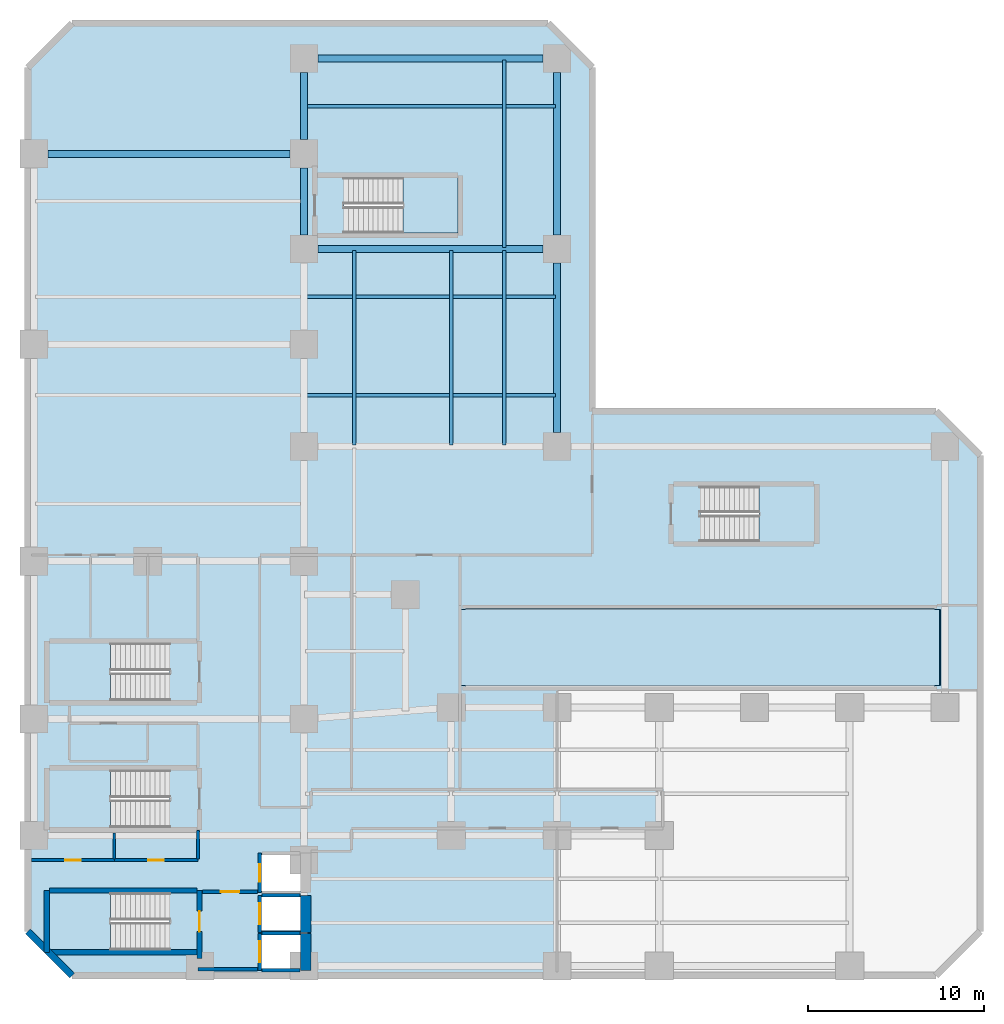
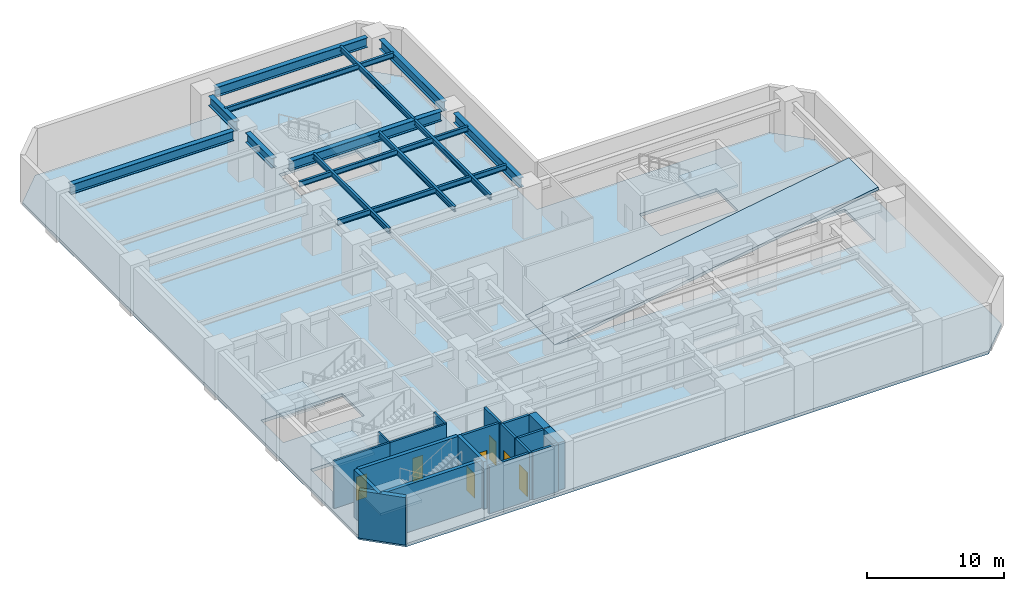
# One storey, part 2 of 7: 19 walls, 14 beams, 7 doors, 7 slabs, 7 openings, 5 elements without a shape of their own.
"""IFC4 building model written with IfcOpenShell, lengths in metres."""

from ifc_helpers import new_model, si_unit, direction, frame, frame_2d, origin, origin_2d, place, context, subcontext, project, spatial, polyline, rectangle, i_section, outline, extrude, material, layer, layer_set, material_profile, profile_set, type_object, element, fill, aggregate, save


model = new_model("IFC4")

# Units and contexts
model_context = context("Model", 3, precision=1e-05, world=origin(), true_north=direction((0.0, 1.0)))
body_context = subcontext(model_context, "Body", "Model", "MODEL_VIEW")
ifc_project = project(units=[si_unit("LENGTHUNIT", "METRE"), si_unit("AREAUNIT", "SQUARE_METRE"), si_unit("VOLUMEUNIT", "CUBIC_METRE"), si_unit("PLANEANGLEUNIT", "RADIAN"), si_unit("MASSUNIT", "GRAM", prefix="KILO")], contexts=[model_context])

# Site, building, storey
site_placement = place(None, origin())
site = spatial("IfcSite", under=ifc_project, at=site_placement, CompositionType="ELEMENT")
building_placement = place(site_placement, origin())
building = spatial("IfcBuilding", under=site, at=building_placement, Name="Mawjaban Terraces University", CompositionType="ELEMENT")
storey_placement = place(building_placement, frame((0.0, 0.0, -4.5)))
storey = spatial("IfcBuildingStorey", under=building, at=storey_placement, Name="B1", CompositionType="ELEMENT", Elevation=-4.5)

# Beams
ifc_material_1 = material(Name="Steel ASTM A572 Grade 50", Category="steel")
ifc_material_profile_1 = material_profile(ifc_material_1, i_section(OverallWidth=0.39990234375, OverallDepth=0.85498046875, WebThickness=0.018310546875, FlangeThickness=0.029296875, at=origin_2d()), Name="W840X299")
ifc_profile_set_1 = profile_set([ifc_material_profile_1], Name="Steel ASTM A572 Grade 50")
beam_type_1 = type_object("IfcBeamType", Name="Beam_B_W840X299", PredefinedType="BEAM", material=ifc_profile_set_1)
beam_1_placement = place(storey_placement, frame((38.449951171875, 41.199951171875, 3.7919921875), z_axis=(1.0, 0.0, 0.0), x_axis=(0.0, 1.0, 0.0)))
element("IfcBeam", 1, at=beam_1_placement, inside=storey, type_object=beam_type_1, Name="B1 Beam BM-B1-EW-18", PredefinedType="BEAM", context=body_context, shape_type="SweptSolid", body=[
    extrude(i_section(OverallWidth=0.39990234375, OverallDepth=0.85498046875, WebThickness=0.018310546875, FlangeThickness=0.029296875, at=origin_2d()), origin(), (0.0, 0.0, 1.0), 12.75),
])
beam_2_placement = place(storey_placement, frame((23.14990234375, 46.60009765625, 3.7919921875), z_axis=(1.0, 0.0, 0.0), x_axis=(0.0, 1.0, 0.0)))
element("IfcBeam", 2, at=beam_2_placement, inside=storey, type_object=beam_type_1, Name="B1 Beam BM-B1-EW-19", PredefinedType="BEAM", context=body_context, shape_type="SweptSolid", body=[
    extrude(i_section(OverallWidth=0.39990234375, OverallDepth=0.85498046875, WebThickness=0.018310546875, FlangeThickness=0.029296875, at=origin_2d()), origin(), (0.0, 0.0, 1.0), 13.7001953125),
])
beam_3_placement = place(storey_placement, frame((38.449951171875, 52.0, 3.7919921875), z_axis=(1.0, 0.0, 0.0), x_axis=(0.0, 1.0, 0.0)))
element("IfcBeam", 3, at=beam_3_placement, inside=storey, type_object=beam_type_1, Name="B1 Beam BM-B1-EW-20", PredefinedType="BEAM", context=body_context, shape_type="SweptSolid", body=[
    extrude(i_section(OverallWidth=0.39990234375, OverallDepth=0.85498046875, WebThickness=0.018310546875, FlangeThickness=0.029296875, at=origin_2d()), origin(), (0.0, 0.0, 1.0), 12.75),
])
for number, where, z_axis, x_axis, name in (
    (4, (37.64990234375, 42.0, 3.7919921875), (0.0, 1.0, 0.0), (-1.0, 0.0, 0.0), "B1 Beam BM-B1-NS-11"),
    (5, (37.64990234375, 47.39990234375, 3.7919921875), (0.0, 1.0, 0.0), (-1.0, 0.0, 0.0), "B1 Beam BM-B1-NS-12"),
):
    element("IfcBeam", number, at=place(storey_placement, frame(where, z_axis=z_axis, x_axis=x_axis)), inside=storey, type_object=beam_type_1, Name=name, PredefinedType="BEAM", context=body_context, shape_type="SweptSolid", body=[
        extrude(i_section(OverallWidth=0.39990234375, OverallDepth=0.85498046875, WebThickness=0.018310546875, FlangeThickness=0.029296875, at=origin_2d()), origin(), (0.0, 0.0, 1.0), 3.800048828125),
    ])
beam_4_placement = place(storey_placement, frame((52.0, 30.800048828125, 3.7919921875), z_axis=(0.0, 1.0, 0.0), x_axis=(-1.0, 0.0, 0.0)))
element("IfcBeam", 6, at=beam_4_placement, inside=storey, type_object=beam_type_1, Name="B1 Beam BM-B1-NS-16", PredefinedType="BEAM", context=body_context, shape_type="SweptSolid", body=[
    extrude(i_section(OverallWidth=0.39990234375, OverallDepth=0.85498046875, WebThickness=0.018310546875, FlangeThickness=0.029296875, at=origin_2d()), origin(), (0.0, 0.0, 1.0), 9.599853515625),
])
beam_5_placement = place(storey_placement, frame((52.0, 42.0, 3.7919921875), z_axis=(0.0, 1.0, 0.0), x_axis=(-1.0, 0.0, 0.0)))
element("IfcBeam", 7, at=beam_5_placement, inside=storey, type_object=beam_type_1, Name="B1 Beam BM-B1-NS-17", PredefinedType="BEAM", context=body_context, shape_type="SweptSolid", body=[
    extrude(i_section(OverallWidth=0.39990234375, OverallDepth=0.85498046875, WebThickness=0.018310546875, FlangeThickness=0.029296875, at=origin_2d()), origin(), (0.0, 0.0, 1.0), 9.199951171875),
])
ifc_material_profile_2 = material_profile(ifc_material_1, i_section(OverallWidth=0.194091796875, OverallDepth=0.468994140625, WebThickness=0.011474609375, FlangeThickness=0.0205078125, at=origin_2d()), Name="W460X106")
ifc_profile_set_2 = profile_set([ifc_material_profile_2], Name="Steel ASTM A572 Grade 50")
beam_type_2 = type_object("IfcBeamType", Name="Beam_J_W460X106", PredefinedType="JOIST", material=ifc_profile_set_2)
for number, where, z_axis, x_axis, name in (
    (8, (37.72998046875, 32.89990234375, 3.986083984375), (1.0, 0.0, 0.0), (0.0, 1.0, 0.0), "B1 Composite Joist JST-B1-18"),
    (9, (37.72998046875, 38.5, 3.986083984375), (1.0, 0.0, 0.0), (0.0, 1.0, 0.0), "B1 Composite Joist JST-B1-20"),
    (10, (37.72998046875, 49.300048828125, 3.986083984375), (1.0, 0.0, 0.0), (0.0, 1.0, 0.0), "B1 Composite Joist JST-B1-22"),
):
    element("IfcBeam", number, at=place(storey_placement, frame(where, z_axis=z_axis, x_axis=x_axis)), inside=storey, type_object=beam_type_2, Name=name, PredefinedType="JOIST", context=body_context, shape_type="SweptSolid", body=[
        extrude(i_section(OverallWidth=0.194091796875, OverallDepth=0.468994140625, WebThickness=0.011474609375, FlangeThickness=0.0205078125, at=origin_2d()), origin(), (0.0, 0.0, 1.0), 14.18994140625),
    ])
for number, where, z_axis, x_axis, name in (
    (11, (40.5, 30.080078125, 3.986083984375), (0.0, 1.0, 0.0), (-1.0, 0.0, 0.0), "B1 Composite Joist JST-B1-NS-25"),
    (12, (46.0, 30.080078125, 3.986083984375), (0.0, 1.0, 0.0), (-1.0, 0.0, 0.0), "B1 Composite Joist JST-B1-NS-26"),
    (13, (49.0, 30.080078125, 3.986083984375), (0.0, 1.0, 0.0), (-1.0, 0.0, 0.0), "B1 Composite Joist JST-B1-NS-27"),
):
    element("IfcBeam", number, at=place(storey_placement, frame(where, z_axis=z_axis, x_axis=x_axis)), inside=storey, type_object=beam_type_2, Name=name, PredefinedType="JOIST", context=body_context, shape_type="SweptSolid", body=[
        extrude(i_section(OverallWidth=0.194091796875, OverallDepth=0.468994140625, WebThickness=0.011474609375, FlangeThickness=0.0205078125, at=origin_2d()), origin(), (0.0, 0.0, 1.0), 11.0400390625),
    ])
beam_6_placement = place(storey_placement, frame((49.0, 41.280029296875, 3.986083984375), z_axis=(0.0, 1.0, 0.0), x_axis=(-1.0, 0.0, 0.0)))
element("IfcBeam", 14, at=beam_6_placement, inside=storey, type_object=beam_type_2, Name="B1 Composite Joist JST-B1-NS-28", PredefinedType="JOIST", context=body_context, shape_type="SweptSolid", body=[
    extrude(i_section(OverallWidth=0.194091796875, OverallDepth=0.468994140625, WebThickness=0.011474609375, FlangeThickness=0.0205078125, at=origin_2d()), origin(), (0.0, 0.0, 1.0), 10.639892578125),
])

# Slab
ifc_material_2 = material(Name="Concrete C40/50", Category="concrete")
ifc_layer_1 = layer(ifc_material_2, 0.280029296875)
ifc_layer_set_1 = layer_set([ifc_layer_1], Name="Concrete C40/50")
slab_type_1 = type_object("IfcSlabType", Name="PodiumSlab_280", PredefinedType="FLOOR", material=ifc_layer_set_1)
slab_1_placement = place(storey_placement, frame((0.0, 0.0, -0.280029296875)))
element("IfcSlab", 15, at=slab_1_placement, inside=storey, type_object=slab_type_1, Name="B1 Primary Structural Slab", PredefinedType="FLOOR", context=body_context, shape_type="SweptSolid", body=[
    extrude(outline(polyline([(24.5, 0.0), (73.5, 0.0), (76.0, 2.5), (76.0, 29.5), (73.5, 32.0), (54.0, 32.0), (54.0, 51.5), (51.5, 54.0), (24.5, 54.0), (22.0, 51.5), (22.0, 2.5), (24.5, 0.0)]), holes=[polyline([(30.014892578125, 4.699951171875), (23.199951171875, 4.699951171875), (23.199951171875, 1.449951171875), (30.014892578125, 1.449951171875), (30.014892578125, 4.699951171875)]), polyline([(30.014892578125, 18.85009765625), (23.199951171875, 18.85009765625), (23.199951171875, 15.60009765625), (30.014892578125, 15.60009765625), (30.014892578125, 18.85009765625)]), polyline([(30.014892578125, 11.64990234375), (23.199951171875, 11.64990234375), (23.199951171875, 8.39990234375), (30.014892578125, 8.39990234375), (30.014892578125, 11.64990234375)]), polyline([(39.93505859375, 42.10009765625), (46.39990234375, 42.10009765625), (46.39990234375, 45.25), (39.93505859375, 45.25), (39.93505859375, 42.10009765625)]), polyline([(60.135009765625, 24.60009765625), (66.60009765625, 24.60009765625), (66.60009765625, 27.75), (60.135009765625, 27.75), (60.135009765625, 24.60009765625)]), polyline([(35.25, 0.39990234375), (37.449951171875, 0.39990234375), (37.449951171875, 2.300048828125), (35.25, 2.300048828125), (35.25, 0.39990234375)]), polyline([(35.25, 2.550048828125), (37.449951171875, 2.550048828125), (37.449951171875, 4.449951171875), (35.25, 4.449951171875), (35.25, 2.550048828125)]), polyline([(35.25, 4.800048828125), (37.449951171875, 4.800048828125), (37.449951171875, 6.85009765625), (35.25, 6.85009765625), (35.25, 4.800048828125)]), polyline([(46.800048828125, 16.39990234375), (73.39990234375, 16.39990234375), (73.39990234375, 20.800048828125), (46.800048828125, 20.800048828125), (46.800048828125, 16.39990234375)])]), origin(), (0.0, 0.0, 1.0), 0.280029296875),
])

# Stair, slab
stair_type_1 = type_object("IfcStairType", Name="Stair_Core1550_H45", PredefinedType="HALF_TURN_STAIR", material=ifc_material_2)
stair_1_placement = place(storey_placement, origin())
stair_1 = element("IfcStair", 16, at=stair_1_placement, inside=storey, type_object=stair_type_1, Name="B1 Core Exit Stair 1", PredefinedType="HALF_TURN_STAIR")
ifc_layer_2 = layer(ifc_material_2, 0.199951171875)
ifc_layer_set_2 = layer_set([ifc_layer_2], Name="Concrete C40/50")
slab_type_2 = type_object("IfcSlabType", Name="StairLandingSlab_200", PredefinedType="LANDING", material=ifc_layer_set_2)
slab_2_placement = place(storey_placement, frame((0.0, 0.0, 2.050048828125)))
slab_2 = element("IfcSlab", 17, at=slab_2_placement, type_object=slab_type_2, Name="ST-1 landing 1", PredefinedType="LANDING", context=body_context, shape_type="SweptSolid", body=[
    extrude(outline(polyline([(26.68994140625, 4.699951171875), (23.199951171875, 4.699951171875), (23.199951171875, 1.449951171875), (26.68994140625, 1.449951171875), (26.68994140625, 4.699951171875)])), origin(), (0.0, 0.0, 1.0), 0.199951171875),
])
aggregate(stair_1, [slab_2])

stair_2_placement = place(storey_placement, origin())
stair_2 = element("IfcStair", 18, at=stair_2_placement, inside=storey, type_object=stair_type_1, Name="B1 Core Exit Stair 2", PredefinedType="HALF_TURN_STAIR")
slab_3_placement = place(storey_placement, frame((0.0, 0.0, 2.050048828125)))
slab_3 = element("IfcSlab", 19, at=slab_3_placement, type_object=slab_type_2, Name="ST-2 landing 1", PredefinedType="LANDING", context=body_context, shape_type="SweptSolid", body=[
    extrude(outline(polyline([(26.68994140625, 18.85009765625), (23.199951171875, 18.85009765625), (23.199951171875, 15.60009765625), (26.68994140625, 15.60009765625), (26.68994140625, 18.85009765625)])), origin(), (0.0, 0.0, 1.0), 0.199951171875),
])
aggregate(stair_2, [slab_3])

stair_3_placement = place(storey_placement, origin())
stair_3 = element("IfcStair", 20, at=stair_3_placement, inside=storey, type_object=stair_type_1, Name="B1 Core Exit Stair 3", PredefinedType="HALF_TURN_STAIR")
slab_4_placement = place(storey_placement, frame((0.0, 0.0, 2.050048828125)))
slab_4 = element("IfcSlab", 21, at=slab_4_placement, type_object=slab_type_2, Name="ST-3 landing 1", PredefinedType="LANDING", context=body_context, shape_type="SweptSolid", body=[
    extrude(outline(polyline([(26.68994140625, 11.64990234375), (23.199951171875, 11.64990234375), (23.199951171875, 8.39990234375), (26.68994140625, 8.39990234375), (26.68994140625, 11.64990234375)])), origin(), (0.0, 0.0, 1.0), 0.199951171875),
])
aggregate(stair_3, [slab_4])

stair_type_2 = type_object("IfcStairType", Name="Stair_Pod1500_H45", PredefinedType="HALF_TURN_STAIR", material=ifc_material_2)
stair_4_placement = place(storey_placement, origin())
stair_4 = element("IfcStair", 22, at=stair_4_placement, inside=storey, type_object=stair_type_2, Name="B1 Podium North Exit Stair 4", PredefinedType="HALF_TURN_STAIR")
slab_5_placement = place(storey_placement, frame((0.0, 0.0, 2.050048828125)))
slab_5 = element("IfcSlab", 23, at=slab_5_placement, type_object=slab_type_2, Name="ST-4 landing 1", PredefinedType="LANDING", context=body_context, shape_type="SweptSolid", body=[
    extrude(outline(polyline([(43.260009765625, 42.10009765625), (46.39990234375, 42.10009765625), (46.39990234375, 45.25), (43.260009765625, 45.25), (43.260009765625, 42.10009765625)])), origin(), (0.0, 0.0, 1.0), 0.199951171875),
])
aggregate(stair_4, [slab_5])

stair_5_placement = place(storey_placement, origin())
stair_5 = element("IfcStair", 24, at=stair_5_placement, inside=storey, type_object=stair_type_2, Name="B1 Podium East Exit Stair 5", PredefinedType="HALF_TURN_STAIR")
slab_6_placement = place(storey_placement, frame((0.0, 0.0, 2.050048828125)))
slab_6 = element("IfcSlab", 25, at=slab_6_placement, type_object=slab_type_2, Name="ST-5 landing 1", PredefinedType="LANDING", context=body_context, shape_type="SweptSolid", body=[
    extrude(outline(polyline([(63.4599609375, 24.60009765625), (66.60009765625, 24.60009765625), (66.60009765625, 27.75), (63.4599609375, 27.75), (63.4599609375, 24.60009765625)])), origin(), (0.0, 0.0, 1.0), 0.199951171875),
])
aggregate(stair_5, [slab_6])

# Slab
ifc_layer_3 = layer(ifc_material_2, 0.260009765625)
ifc_layer_set_3 = layer_set([ifc_layer_3], Name="Concrete C40/50")
slab_type_3 = type_object("IfcSlabType", Name="VehicleRampSlab_260", PredefinedType="FLOOR", material=ifc_layer_set_3)
slab_7_placement = place(storey_placement, frame((46.5, 16.449951171875, 0.0), z_axis=(-0.163222777275, 0.0, 0.986589238224), x_axis=(0.986589238224, 0.0, 0.163222777275)))
element("IfcSlab", 26, at=slab_7_placement, inside=storey, type_object=slab_type_3, Name="B1 Structural Vehicle Ramp Slab VR-01 VRF-01", PredefinedType="FLOOR", context=body_context, shape_type="SweptSolid", body=[
    extrude(outline(polyline([(0.0, 0.0), (27.569681604116944, 0.0), (27.569681604116944, 4.300048828125), (0.0, 4.300048828125), (0.0, 0.0)])), origin(), (0.0, 0.0, -1.0), 0.260009765625),
])

# Walls
ifc_material_3 = material(Name="Concrete C50/60", Category="concrete")
ifc_layer_4 = layer(ifc_material_3, 0.3798828125)
ifc_layer_set_4 = layer_set([ifc_layer_4], Name="Concrete C50/60")
wall_type_1 = type_object("IfcWallType", Name="BsmtRetainingWall_380", PredefinedType="USERDEFINED", material=ifc_layer_set_4)
wall_1_placement = place(storey_placement, frame((22.0, 2.5, 0.0), z_axis=(0.0, 0.0, 1.0), x_axis=(0.707106781187, -0.707106781187, 0.0)))
element("IfcWall", 27, at=wall_1_placement, inside=storey, type_object=wall_type_1, Name="B1 Perimeter Retaining Wall 11", ObjectType="RETAININGWALL", PredefinedType="USERDEFINED", context=body_context, shape_type="SweptSolid", body=[
    extrude(rectangle(XDim=3.53564453125, YDim=0.3798828125, at=frame_2d((1.767822265625, 0.0))), origin(), (0.0, 0.0, 1.0), 4.219970703125),
])
ifc_material_4 = material(Name="Concrete C70/85", Category="concrete")
ifc_layer_5 = layer(ifc_material_4, 0.60009765625)
ifc_layer_set_5 = layer_set([ifc_layer_5], Name="Concrete C70/85")
wall_type_2 = type_object("IfcWallType", Name="CoreShearWall_600", PredefinedType="SHEAR", material=ifc_layer_set_5)
wall_2_placement = place(storey_placement, frame((37.75, 0.300048828125, 0.0), z_axis=(0.0, 0.0, 1.0), x_axis=(0.0, 1.0, 0.0)))
element("IfcWall", 28, at=wall_2_placement, inside=storey, type_object=wall_type_2, Name="B1 Lift FL-1 Hoistway Wall East", PredefinedType="SHEAR", context=body_context, shape_type="SweptSolid", body=[
    extrude(rectangle(XDim=2.099853515625, YDim=0.60009765625, at=frame_2d((1.0498046875, 0.0))), origin(), (0.0, 0.0, 1.0), 4.219970703125),
])
wall_3_placement = place(storey_placement, frame((37.75, 2.449951171875, 0.0), z_axis=(0.0, 0.0, 1.0), x_axis=(0.0, 1.0, 0.0)))
element("IfcWall", 29, at=wall_3_placement, inside=storey, type_object=wall_type_2, Name="B1 Lift FL-2 Hoistway Wall East", PredefinedType="SHEAR", context=body_context, shape_type="SweptSolid", body=[
    extrude(rectangle(XDim=2.10009765625, YDim=0.60009765625, at=frame_2d((1.050048828125, 0.0))), origin(), (0.0, 0.0, 1.0), 4.219970703125),
])

# Wall, opening, door
ifc_material_5 = material(Name="Fire-rated gypsum board on steel stud", Category="steel")
ifc_layer_6 = layer(ifc_material_5, 0.159912109375)
ifc_layer_set_6 = layer_set([ifc_layer_6], Name="Fire-rated gypsum board on steel stud")
wall_type_3 = type_object("IfcWallType", Name="CorridorPartition_160", PredefinedType="PARTITIONING", material=ifc_layer_set_6)
wall_4_placement = place(storey_placement, frame((26.89990234375, 6.550048828125, 0.0), z_axis=(0.0, 0.0, 1.0), x_axis=(-1.0, 0.0, 0.0)))
wall_4 = element("IfcWall", 30, at=wall_4_placement, inside=storey, type_object=wall_type_3, Name="B1 Core Washroom Lobby Partition 4", PredefinedType="PARTITIONING", context=body_context, shape_type="SweptSolid", body=[
    extrude(rectangle(XDim=4.699951171875, YDim=0.159912109375, at=frame_2d((2.35009765625, 0.0))), origin(), (0.0, 0.0, 1.0), 4.219970703125),
])
opening_1_placement = place(wall_4_placement, frame((1.909912109375, 0.0, 0.0)))
opening_1 = element("IfcOpeningElement", 31, at=opening_1_placement, cuts=wall_4, Name="Opening ID-088", PredefinedType="OPENING", context=body_context, shape_type="SweptSolid", body=[
    extrude(rectangle(XDim=0.8798828125, YDim=2.10009765625, at=frame_2d((0.43994140625, 1.050048828125))), frame((0.0, 0.08984375, 0.0), z_axis=(0.0, -1.0, 0.0), x_axis=(1.0, 0.0, 0.0)), (0.0, 0.0, 1.0), 0.179931640625),
])
ifc_material_6 = material(Name="Powder-coated steel frame and solid acoustic timber leaf", Category="steel")
door_type_1 = type_object("IfcDoorType", Name="ToiletDoor_880x2100", OperationType="NOTDEFINED", PredefinedType="DOOR", material=ifc_material_6)
door_1_placement = place(opening_1_placement, origin())
door_1 = element("IfcDoor", 32, at=door_1_placement, inside=storey, type_object=door_type_1, Name="B1 Male Toilet Door", OperationType="SINGLE_SWING_RIGHT", OverallHeight=2.10009765625, OverallWidth=0.8798828125, PredefinedType="DOOR", context=body_context, shape_type="SweptSolid", body=[
    extrude(rectangle(XDim=0.8798828125, YDim=2.10009765625, at=frame_2d((0.43994140625, 1.050048828125))), frame((0.0, 0.02490234375, 0.0), z_axis=(0.0, -1.0, 0.0), x_axis=(1.0, 0.0, 0.0)), (0.0, 0.0, 1.0), 0.050048828125),
])
fill(opening_1, door_1)

wall_5_placement = place(storey_placement, frame((31.64990234375, 6.550048828125, 0.0), z_axis=(0.0, 0.0, 1.0), x_axis=(-1.0, 0.0, 0.0)))
wall_5 = element("IfcWall", 33, at=wall_5_placement, inside=storey, type_object=wall_type_3, Name="B1 Core Washroom Lobby Partition 9", PredefinedType="PARTITIONING", context=body_context, shape_type="SweptSolid", body=[
    extrude(rectangle(XDim=4.75, YDim=0.159912109375, at=frame_2d((2.375, 0.0))), origin(), (0.0, 0.0, 1.0), 4.219970703125),
])
opening_2_placement = place(wall_5_placement, frame((1.93505859375, 0.0, 0.0)))
opening_2 = element("IfcOpeningElement", 34, at=opening_2_placement, cuts=wall_5, Name="Opening ID-088", PredefinedType="OPENING", context=body_context, shape_type="SweptSolid", body=[
    extrude(rectangle(XDim=0.8798828125, YDim=2.10009765625, at=frame_2d((0.43994140625, 1.050048828125))), frame((0.0, 0.08984375, 0.0), z_axis=(0.0, -1.0, 0.0), x_axis=(1.0, 0.0, 0.0)), (0.0, 0.0, 1.0), 0.179931640625),
])
door_2_placement = place(opening_2_placement, origin())
door_2 = element("IfcDoor", 35, at=door_2_placement, inside=storey, type_object=door_type_1, Name="B1 Accessible Toilet Door", OperationType="SINGLE_SWING_LEFT", OverallHeight=2.10009765625, OverallWidth=0.8798828125, PredefinedType="DOOR", context=body_context, shape_type="SweptSolid", body=[
    extrude(rectangle(XDim=0.8798828125, YDim=2.10009765625, at=frame_2d((0.43994140625, 1.050048828125))), frame((0.0, 0.02490234375, 0.0), z_axis=(0.0, -1.0, 0.0), x_axis=(1.0, 0.0, 0.0)), (0.0, 0.0, 1.0), 0.050048828125),
])
fill(opening_2, door_2)

# Wall
wall_6_placement = place(storey_placement, frame((31.64990234375, 8.239990234375, 0.0), z_axis=(0.0, 0.0, 1.0), x_axis=(0.0, -1.0, 0.0)))
element("IfcWall", 36, at=wall_6_placement, inside=storey, type_object=wall_type_3, Name="B1 Passenger Lift Lobby Partition 30", PredefinedType="PARTITIONING", context=body_context, shape_type="SweptSolid", body=[
    extrude(rectangle(XDim=1.614990234375, YDim=0.159912109375, at=frame_2d((0.8076171875, 0.0))), origin(), (0.0, 0.0, 1.0), 4.219970703125),
])

# Wall, opening, door
ifc_layer_7 = layer(ifc_material_2, 0.199951171875)
ifc_layer_set_7 = layer_set([ifc_layer_7], Name="Concrete C40/50")
wall_type_4 = type_object("IfcWallType", Name="FireLobbyWall_200", PredefinedType="SOLIDWALL", material=ifc_layer_set_7)
wall_7_placement = place(storey_placement, frame((35.14990234375, 2.39990234375, 0.0), z_axis=(0.0, 0.0, 1.0), x_axis=(0.0, -1.0, 0.0)))
wall_7 = element("IfcWall", 37, at=wall_7_placement, inside=storey, type_object=wall_type_4, Name="B1 Lift FL-1 Hoistway Wall West", PredefinedType="SOLIDWALL", context=body_context, shape_type="SweptSolid", body=[
    extrude(rectangle(XDim=2.099853515625, YDim=0.199951171875, at=frame_2d((1.0498046875, 0.0))), origin(), (0.0, 0.0, 1.0), 4.219970703125),
])
opening_3_placement = place(wall_7_placement, frame((0.449951171875, 0.0, 0.0)))
opening_3 = element("IfcOpeningElement", 38, at=opening_3_placement, cuts=wall_7, Name="Opening LD-FL-1", PredefinedType="OPENING", context=body_context, shape_type="SweptSolid", body=[
    extrude(rectangle(XDim=1.199951171875, YDim=2.14990234375, at=frame_2d((0.60009765625, 1.074951171875))), frame((0.0, 0.10986328125, 0.0), z_axis=(0.0, -1.0, 0.0), x_axis=(1.0, 0.0, 0.0)), (0.0, 0.0, 1.0), 0.219970703125),
])
ifc_material_7 = material(Name="Powder-coated steel frame and fire-rated steel-faced leaf", Category="steel")
door_type_2 = type_object("IfcDoorType", Name="LiftLandingFSAE_1200x2150", OperationType="NOTDEFINED", PredefinedType="DOOR", material=ifc_material_7)
door_3_placement = place(opening_3_placement, origin())
door_3 = element("IfcDoor", 39, at=door_3_placement, inside=storey, type_object=door_type_2, Name="B1 Lift FL-1 Sliding Landing Door", OperationType="DOUBLE_DOOR_SLIDING", OverallHeight=2.14990234375, OverallWidth=1.199951171875, PredefinedType="DOOR", context=body_context, shape_type="SweptSolid", body=[
    extrude(rectangle(XDim=1.199951171875, YDim=2.14990234375, at=frame_2d((0.60009765625, 1.074951171875))), frame((0.0, 0.02490234375, 0.0), z_axis=(0.0, -1.0, 0.0), x_axis=(1.0, 0.0, 0.0)), (0.0, 0.0, 1.0), 0.050048828125),
])
fill(opening_3, door_3)

# Walls
for number, where, z_axis, x_axis, name in (
    (40, (35.280029296875, 0.300048828125, 0.0), (0.0, 0.0, 1.0), (1.0, 0.0, 0.0), "B1 Lift FL-1 Hoistway Wall South"),
    (41, (37.419921875, 2.39990234375, 0.0), (0.0, 0.0, 1.0), (-1.0, 0.0, 0.0), "B1 Lift FL-1 Hoistway Wall North"),
):
    element("IfcWall", number, at=place(storey_placement, frame(where, z_axis=z_axis, x_axis=x_axis)), inside=storey, type_object=wall_type_4, Name=name, PredefinedType="SOLIDWALL", context=body_context, shape_type="SweptSolid", body=[
        extrude(rectangle(XDim=2.139892578125, YDim=0.199951171875, at=frame_2d((1.06982421875, 0.0))), origin(), (0.0, 0.0, 1.0), 4.219970703125),
    ])

# Wall, opening, door
wall_8_placement = place(storey_placement, frame((35.14990234375, 4.550048828125, 0.0), z_axis=(0.0, 0.0, 1.0), x_axis=(0.0, -1.0, 0.0)))
wall_8 = element("IfcWall", 42, at=wall_8_placement, inside=storey, type_object=wall_type_4, Name="B1 Lift FL-2 Hoistway Wall West", PredefinedType="SOLIDWALL", context=body_context, shape_type="SweptSolid", body=[
    extrude(rectangle(XDim=2.10009765625, YDim=0.199951171875, at=frame_2d((1.050048828125, 0.0))), origin(), (0.0, 0.0, 1.0), 4.219970703125),
])
opening_4_placement = place(wall_8_placement, frame((0.449951171875, 0.0, 0.0)))
opening_4 = element("IfcOpeningElement", 43, at=opening_4_placement, cuts=wall_8, Name="Opening LD-FL-2", PredefinedType="OPENING", context=body_context, shape_type="SweptSolid", body=[
    extrude(rectangle(XDim=1.199951171875, YDim=2.14990234375, at=frame_2d((0.60009765625, 1.074951171875))), frame((0.0, 0.10986328125, 0.0), z_axis=(0.0, -1.0, 0.0), x_axis=(1.0, 0.0, 0.0)), (0.0, 0.0, 1.0), 0.219970703125),
])
door_4_placement = place(opening_4_placement, origin())
door_4 = element("IfcDoor", 44, at=door_4_placement, inside=storey, type_object=door_type_2, Name="B1 Lift FL-2 Sliding Landing Door", OperationType="DOUBLE_DOOR_SLIDING", OverallHeight=2.14990234375, OverallWidth=1.199951171875, PredefinedType="DOOR", context=body_context, shape_type="SweptSolid", body=[
    extrude(rectangle(XDim=1.199951171875, YDim=2.14990234375, at=frame_2d((0.60009765625, 1.074951171875))), frame((0.0, 0.02490234375, 0.0), z_axis=(0.0, -1.0, 0.0), x_axis=(1.0, 0.0, 0.0)), (0.0, 0.0, 1.0), 0.050048828125),
])
fill(opening_4, door_4)

# Wall
wall_9_placement = place(storey_placement, frame((37.419921875, 4.550048828125, 0.0), z_axis=(0.0, 0.0, 1.0), x_axis=(-1.0, 0.0, 0.0)))
element("IfcWall", 45, at=wall_9_placement, inside=storey, type_object=wall_type_4, Name="B1 Lift FL-2 Hoistway Wall North", PredefinedType="SOLIDWALL", context=body_context, shape_type="SweptSolid", body=[
    extrude(rectangle(XDim=2.139892578125, YDim=0.199951171875, at=frame_2d((1.06982421875, 0.0))), origin(), (0.0, 0.0, 1.0), 4.219970703125),
])

# Wall, opening, door
wall_10_placement = place(storey_placement, frame((35.14990234375, 6.949951171875, 0.0), z_axis=(0.0, 0.0, 1.0), x_axis=(0.0, -1.0, 0.0)))
wall_10 = element("IfcWall", 46, at=wall_10_placement, inside=storey, type_object=wall_type_4, Name="B1 Lift SL-1 Hoistway Wall West", PredefinedType="SOLIDWALL", context=body_context, shape_type="SweptSolid", body=[
    extrude(rectangle(XDim=2.25, YDim=0.199951171875, at=frame_2d((1.125, 0.0))), origin(), (0.0, 0.0, 1.0), 4.219970703125),
])
opening_5_placement = place(wall_10_placement, frame((0.625, 0.0, 0.0)))
opening_5 = element("IfcOpeningElement", 47, at=opening_5_placement, cuts=wall_10, Name="Opening LD-SL-1", PredefinedType="OPENING", context=body_context, shape_type="SweptSolid", body=[
    extrude(rectangle(XDim=1.0, YDim=2.10009765625, at=frame_2d((0.5, 1.050048828125))), frame((0.0, 0.10986328125, 0.0), z_axis=(0.0, -1.0, 0.0), x_axis=(1.0, 0.0, 0.0)), (0.0, 0.0, 1.0), 0.219970703125),
])
door_type_3 = type_object("IfcDoorType", Name="LiftLandingSliding_1000x2100", OperationType="NOTDEFINED", PredefinedType="DOOR", material=ifc_material_7)
door_5_placement = place(opening_5_placement, origin())
door_5 = element("IfcDoor", 48, at=door_5_placement, inside=storey, type_object=door_type_3, Name="B1 Lift SL-1 Sliding Landing Door", OperationType="DOUBLE_DOOR_SLIDING", OverallHeight=2.10009765625, OverallWidth=1.0, PredefinedType="DOOR", context=body_context, shape_type="SweptSolid", body=[
    extrude(rectangle(XDim=1.0, YDim=2.10009765625, at=frame_2d((0.5, 1.050048828125))), frame((0.0, 0.02490234375, 0.0), z_axis=(0.0, -1.0, 0.0), x_axis=(1.0, 0.0, 0.0)), (0.0, 0.0, 1.0), 0.050048828125),
])
fill(opening_5, door_5)

# Wall
wall_11_placement = place(storey_placement, frame((31.64990234375, 0.35009765625, 0.0), z_axis=(0.0, 0.0, 1.0), x_axis=(1.0, 0.0, 0.0)))
element("IfcWall", 49, at=wall_11_placement, inside=storey, type_object=wall_type_4, Name="B1 Firefighting Lift Lobby Partition 8", PredefinedType="SOLIDWALL", context=body_context, shape_type="SweptSolid", body=[
    extrude(rectangle(XDim=3.3701171875, YDim=0.199951171875, at=frame_2d((1.68505859375, 0.0))), origin(), (0.0, 0.0, 1.0), 4.219970703125),
])

# Wall, opening, door
wall_12_placement = place(storey_placement, frame((35.02001953125, 4.75, 0.0), z_axis=(0.0, 0.0, 1.0), x_axis=(-1.0, 0.0, 0.0)))
wall_12 = element("IfcWall", 50, at=wall_12_placement, inside=storey, type_object=wall_type_4, Name="B1 Firefighting Lift Lobby Partition 10", PredefinedType="SOLIDWALL", context=body_context, shape_type="SweptSolid", body=[
    extrude(rectangle(XDim=3.110107421875, YDim=0.199951171875, at=frame_2d((1.55517578125, 0.0))), origin(), (0.0, 0.0, 1.0), 4.219970703125),
])
opening_6_placement = place(wall_12_placement, frame((1.030029296875, 0.0, 0.0)))
opening_6 = element("IfcOpeningElement", 51, at=opening_6_placement, cuts=wall_12, Name="Opening FD-105", PredefinedType="OPENING", context=body_context, shape_type="SweptSolid", body=[
    extrude(rectangle(XDim=1.050048828125, YDim=2.14990234375, at=frame_2d((0.52490234375, 1.074951171875))), frame((0.0, 0.10986328125, 0.0), z_axis=(0.0, -1.0, 0.0), x_axis=(1.0, 0.0, 0.0)), (0.0, 0.0, 1.0), 0.219970703125),
])
door_type_4 = type_object("IfcDoorType", Name="FireLobbyDoor_1050x2150", OperationType="NOTDEFINED", PredefinedType="DOOR", material=ifc_material_7)
door_6_placement = place(opening_6_placement, origin())
door_6 = element("IfcDoor", 52, at=door_6_placement, inside=storey, type_object=door_type_4, Name="B1 Firefighting Lift Lobby Door", OperationType="SINGLE_SWING_LEFT", OverallHeight=2.14990234375, OverallWidth=1.050048828125, PredefinedType="DOOR", context=body_context, shape_type="SweptSolid", body=[
    extrude(rectangle(XDim=1.050048828125, YDim=2.14990234375, at=frame_2d((0.52490234375, 1.074951171875))), frame((0.0, 0.02490234375, 0.0), z_axis=(0.0, -1.0, 0.0), x_axis=(1.0, 0.0, 0.0)), (0.0, 0.0, 1.0), 0.050048828125),
])
fill(opening_6, door_6)

# Walls
ifc_material_8 = material(Name="Concrete C60/75", Category="concrete")
ifc_layer_8 = layer(ifc_material_8, 0.300048828125)
ifc_layer_set_8 = layer_set([ifc_layer_8], Name="Concrete C60/75")
wall_type_5 = type_object("IfcWallType", Name="StairShaftWall_300", PredefinedType="SHEAR", material=ifc_layer_set_8)
wall_13_placement = place(storey_placement, frame((31.580078125, 4.830078125, 0.0), z_axis=(0.0, 0.0, 1.0), x_axis=(-1.0, 0.0, 0.0)))
element("IfcWall", 53, at=wall_13_placement, inside=storey, type_object=wall_type_5, Name="B1 ST-1 Stair Shaft Wall 1", PredefinedType="SHEAR", context=body_context, shape_type="SweptSolid", body=[
    extrude(rectangle(XDim=8.360107421875, YDim=0.300048828125, at=frame_2d((4.18017578125, 0.0))), origin(), (0.0, 0.0, 1.0), 4.219970703125),
])
wall_14_placement = place(storey_placement, frame((23.070068359375, 4.830078125, 0.0), z_axis=(0.0, 0.0, 1.0), x_axis=(0.0, -1.0, 0.0)))
element("IfcWall", 54, at=wall_14_placement, inside=storey, type_object=wall_type_5, Name="B1 ST-1 Stair Shaft Wall 2", PredefinedType="SHEAR", context=body_context, shape_type="SweptSolid", body=[
    extrude(rectangle(XDim=3.510009765625, YDim=0.300048828125, at=frame_2d((1.7548828125, 0.0))), origin(), (0.0, 0.0, 1.0), 4.219970703125),
])
wall_15_placement = place(storey_placement, frame((23.219970703125, 1.320068359375, 0.0), z_axis=(0.0, 0.0, 1.0), x_axis=(1.0, 0.0, 0.0)))
element("IfcWall", 55, at=wall_15_placement, inside=storey, type_object=wall_type_5, Name="B1 ST-1 Stair Shaft Wall 3", PredefinedType="SHEAR", context=body_context, shape_type="SweptSolid", body=[
    extrude(rectangle(XDim=8.360107421875, YDim=0.300048828125, at=frame_2d((4.18017578125, 0.0))), origin(), (0.0, 0.0, 1.0), 4.219970703125),
])

# Wall, opening, door
wall_16_placement = place(storey_placement, frame((31.72998046875, 0.9599609375, 0.0), z_axis=(0.0, 0.0, 1.0), x_axis=(0.0, 1.0, 0.0)))
wall_16 = element("IfcWall", 56, at=wall_16_placement, inside=storey, type_object=wall_type_5, Name="B1 ST-1 Stair Shaft Wall 4", PredefinedType="SHEAR", context=body_context, shape_type="SweptSolid", body=[
    extrude(rectangle(XDim=3.8701171875, YDim=0.300048828125, at=frame_2d((1.93505859375, 0.0))), origin(), (0.0, 0.0, 1.0), 4.219970703125),
])
opening_7_placement = place(wall_16_placement, frame((1.5400390625, 0.0, 0.0)))
opening_7 = element("IfcOpeningElement", 57, at=opening_7_placement, cuts=wall_16, Name="Opening FD-115", PredefinedType="OPENING", context=body_context, shape_type="SweptSolid", body=[
    extrude(rectangle(XDim=1.14990234375, YDim=2.14990234375, at=frame_2d((0.574951171875, 1.074951171875))), frame((0.0, 0.159912109375, 0.0), z_axis=(0.0, -1.0, 0.0), x_axis=(1.0, 0.0, 0.0)), (0.0, 0.0, 1.0), 0.320068359375),
])
door_type_5 = type_object("IfcDoorType", Name="FireStairDoor_1150x2150", OperationType="NOTDEFINED", PredefinedType="DOOR", material=ifc_material_7)
door_7_placement = place(opening_7_placement, origin())
door_7 = element("IfcDoor", 58, at=door_7_placement, inside=storey, type_object=door_type_5, Name="B1 ST-1 Pressurised Stair Fire Door", OperationType="SINGLE_SWING_RIGHT", OverallHeight=2.14990234375, OverallWidth=1.14990234375, PredefinedType="DOOR", context=body_context, shape_type="SweptSolid", body=[
    extrude(rectangle(XDim=1.14990234375, YDim=2.14990234375, at=frame_2d((0.574951171875, 1.074951171875))), frame((0.0, 0.02490234375, 0.0), z_axis=(0.0, -1.0, 0.0), x_axis=(1.0, 0.0, 0.0)), (0.0, 0.0, 1.0), 0.050048828125),
])
fill(opening_7, door_7)

# Wall
ifc_material_9 = material(Name="Cement-board wet-room partition", Category="masonry")
ifc_layer_9 = layer(ifc_material_9, 0.135009765625)
ifc_layer_set_9 = layer_set([ifc_layer_9], Name="Cement-board wet-room partition")
wall_type_6 = type_object("IfcWallType", Name="WetRoomPartition_135", PredefinedType="PARTITIONING", material=ifc_layer_set_9)
wall_17_placement = place(storey_placement, frame((26.89990234375, 6.625, 0.0), z_axis=(0.0, 0.0, 1.0), x_axis=(0.0, 1.0, 0.0)))
element("IfcWall", 59, at=wall_17_placement, inside=storey, type_object=wall_type_6, Name="B1 Male Toilet Partition 27", PredefinedType="PARTITIONING", context=body_context, shape_type="SweptSolid", body=[
    extrude(rectangle(XDim=1.465087890625, YDim=0.135009765625, at=frame_2d((0.732421875, 0.0))), origin(), (0.0, 0.0, 1.0), 4.219970703125),
])

save(model, "model.ifc")
